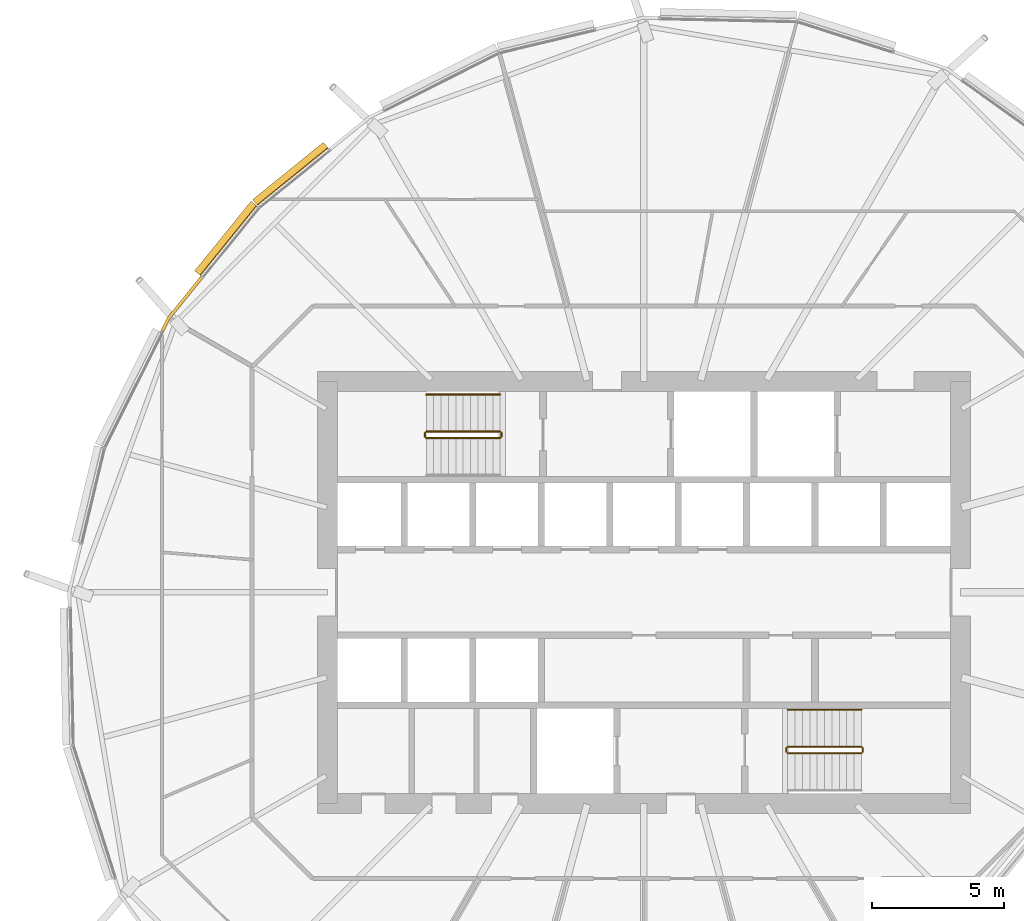
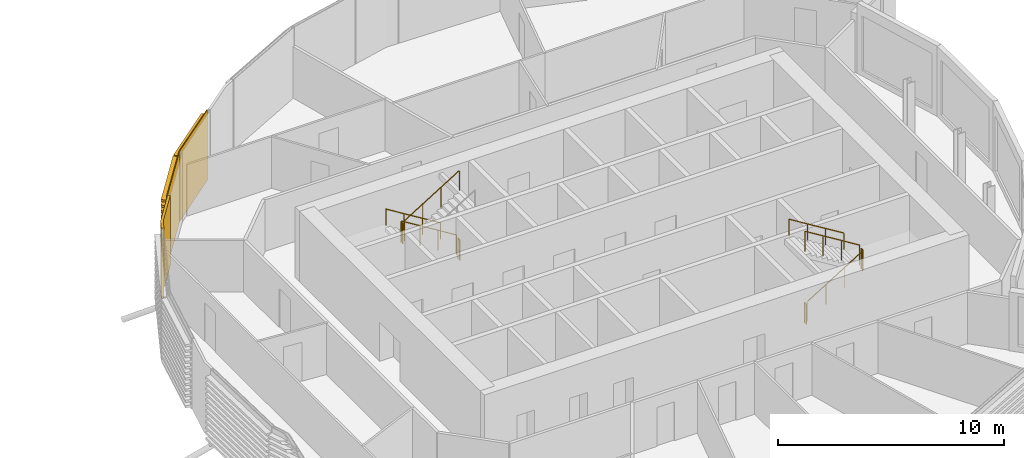
# One storey, part 37 of 38: 10 railings, 3 coverings.
"""IFC4 building model written with IfcOpenShell, lengths in metres."""

from ifc_helpers import new_model, si_unit, direction, frame, origin, origin_2d, place, context, subcontext, project, spatial, polyline, circle, outline, extrude, material, layer, layer_set, material_profile, profile_set, type_object, element, save


model = new_model("IFC4")

# Units and contexts
model_context = context("Model", 3, precision=1e-05, world=origin(), true_north=direction((0.0, 1.0)))
body_context = subcontext(model_context, "Body", "Model", "MODEL_VIEW")
ifc_project = project(units=[si_unit("LENGTHUNIT", "METRE"), si_unit("AREAUNIT", "SQUARE_METRE"), si_unit("VOLUMEUNIT", "CUBIC_METRE"), si_unit("PLANEANGLEUNIT", "RADIAN"), si_unit("MASSUNIT", "GRAM", prefix="KILO")], contexts=[model_context])

# Site, building, storey
site_placement = place(None, origin())
site = spatial("IfcSite", under=ifc_project, at=site_placement, CompositionType="ELEMENT")
building_placement = place(site_placement, origin())
building = spatial("IfcBuilding", under=site, at=building_placement, Name="Rimbun Link Towers", CompositionType="ELEMENT")
storey_placement = place(building_placement, frame((0.0, 0.0, 119.60009765625)))
storey = spatial("IfcBuildingStorey", under=building, at=storey_placement, Name="L29", CompositionType="ELEMENT", Elevation=119.60009765625)

# Covering
ifc_material_1 = material(Name="Terracotta", Category="masonry")
ifc_layer = layer(ifc_material_1, 0.1201171875)
ifc_layer_set = layer_set([ifc_layer], Name="LINK PIER terracotta cladding 120")
covering_type_1 = type_object("IfcCoveringType", Name="LINK PIER terracotta cladding 120", PredefinedType="CLADDING", material=ifc_layer_set)
covering_1_placement = place(storey_placement, origin())
element("IfcCovering", 1, at=covering_1_placement, inside=storey, type_object=covering_type_1, Name="LINK PIER cladding", PredefinedType="CLADDING", context=body_context, shape_type="SweptSolid", body=[
    extrude(outline(polyline([(13.532470703125, 9.86083984375), (13.788330078125, 10.3701171875), (15.02783203125, 11.9013671875), (14.9345703125, 11.97705078125), (13.686767578125, 10.435546875), (13.42529296875, 9.914794921875), (13.532470703125, 9.86083984375)])), origin(), (0.0, 0.0, 1.0), 3.7998046875),
])

# Railings
ifc_material_2 = material(Name="Stainless steel grade 316", Category="steel")
railing_type_1 = type_object("IfcRailingType", Name="Stair guard", PredefinedType="GUARDRAIL", material=ifc_material_2)
railing_1_placement = place(storey_placement, frame((26.300048828125, 6.10009765625, 0.172607421875)))
element("IfcRailing", 2, at=railing_1_placement, inside=storey, type_object=railing_type_1, Name="L29 ST3 stair guard 1", PredefinedType="GUARDRAIL", context=body_context, shape_type="SweptSolid", body=[
    extrude(circle(Radius=0.02392578125, at=origin_2d()), frame((0.0, 0.0, 1.076171875), z_axis=(-0.851089632645, 0.0, 0.525020415988), x_axis=(0.0, -1.0, 0.0)), (0.0, 0.0, 1.0), 3.2900390625),
    extrude(circle(Radius=0.02099609375, at=origin_2d()), origin(), (0.0, 0.0, 1.0), 1.052001953125),
    extrude(circle(Radius=0.02099609375, at=origin_2d()), frame((-0.933349609375, 0.0, 0.57568359375)), (0.0, 0.0, 1.0), 1.052001953125),
    extrude(circle(Radius=0.02099609375, at=origin_2d()), frame((-1.86669921875, 0.0, 1.151611328125)), (0.0, 0.0, 1.0), 1.052001953125),
    extrude(circle(Radius=0.02099609375, at=origin_2d()), frame((-2.800048828125, 0.0, 1.727294921875)), (0.0, 0.0, 1.0), 1.052001953125),
])
railing_2_placement = place(storey_placement, frame((23.449951171875, 6.050048828125, 1.89990234375)))
element("IfcRailing", 3, at=railing_2_placement, inside=storey, type_object=railing_type_1, Name="L29 ST3 stair guard 2", PredefinedType="GUARDRAIL", context=body_context, shape_type="SweptSolid", body=[
    extrude(circle(Radius=0.02392578125, at=origin_2d()), frame((0.0, 0.0, 1.076171875), z_axis=(0.0, -1.0, 0.0), x_axis=(1.0, 0.0, 0.0)), (0.0, 0.0, 1.0), 0.150146484375),
    extrude(circle(Radius=0.02099609375, at=origin_2d()), origin(), (0.0, 0.0, 1.0), 1.052001953125),
    extrude(circle(Radius=0.02099609375, at=origin_2d()), frame((0.0, -0.150146484375, 0.0)), (0.0, 0.0, 1.0), 1.052001953125),
])
railing_3_placement = place(storey_placement, frame((23.5, 5.85009765625, 2.072509765625)))
element("IfcRailing", 4, at=railing_3_placement, inside=storey, type_object=railing_type_1, Name="L29 ST3 stair guard 3", PredefinedType="GUARDRAIL", context=body_context, shape_type="SweptSolid", body=[
    extrude(circle(Radius=0.02392578125, at=origin_2d()), frame((0.0, 0.0, 1.076171875), z_axis=(0.851089632645, 0.0, 0.525020415988), x_axis=(0.0, 1.0, 0.0)), (0.0, 0.0, 1.0), 3.2900390625),
    extrude(circle(Radius=0.02099609375, at=origin_2d()), origin(), (0.0, 0.0, 1.0), 1.052001953125),
    extrude(circle(Radius=0.02099609375, at=origin_2d()), frame((0.933349609375, 0.0, 0.57568359375)), (0.0, 0.0, 1.0), 1.052001953125),
    extrude(circle(Radius=0.02099609375, at=origin_2d()), frame((1.86669921875, 0.0, 1.151611328125)), (0.0, 0.0, 1.0), 1.052001953125),
    extrude(circle(Radius=0.02099609375, at=origin_2d()), frame((2.800048828125, 0.0, 1.727294921875)), (0.0, 0.0, 1.0), 1.052001953125),
])
railing_4_placement = place(storey_placement, frame((26.35009765625, 6.050048828125, 0.0)))
element("IfcRailing", 5, at=railing_4_placement, inside=storey, type_object=railing_type_1, Name="L29 ST3 stair guard 4", PredefinedType="GUARDRAIL", context=body_context, shape_type="SweptSolid", body=[
    extrude(circle(Radius=0.02392578125, at=origin_2d()), frame((0.0, 0.0, 1.076171875), z_axis=(0.0, -1.0, 0.0), x_axis=(1.0, 0.0, 0.0)), (0.0, 0.0, 1.0), 0.150146484375),
    extrude(circle(Radius=0.02099609375, at=origin_2d()), origin(), (0.0, 0.0, 1.0), 1.052001953125),
    extrude(circle(Radius=0.02099609375, at=origin_2d()), frame((0.0, -0.150146484375, 0.0)), (0.0, 0.0, 1.0), 1.052001953125),
])
railing_5_placement = place(storey_placement, frame((37.199951171875, -6.10009765625, 0.172607421875)))
element("IfcRailing", 6, at=railing_5_placement, inside=storey, type_object=railing_type_1, Name="L29 ST4 stair guard 1", PredefinedType="GUARDRAIL", context=body_context, shape_type="SweptSolid", body=[
    extrude(circle(Radius=0.02392578125, at=origin_2d()), frame((0.0, 0.0, 1.076171875), z_axis=(0.851089632645, 0.0, 0.525020415988), x_axis=(0.0, 1.0, 0.0)), (0.0, 0.0, 1.0), 3.2900390625),
    extrude(circle(Radius=0.02099609375, at=origin_2d()), origin(), (0.0, 0.0, 1.0), 1.052001953125),
    extrude(circle(Radius=0.02099609375, at=origin_2d()), frame((0.933349609375, 0.0, 0.57568359375)), (0.0, 0.0, 1.0), 1.052001953125),
    extrude(circle(Radius=0.02099609375, at=origin_2d()), frame((1.86669921875, 0.0, 1.151611328125)), (0.0, 0.0, 1.0), 1.052001953125),
    extrude(circle(Radius=0.02099609375, at=origin_2d()), frame((2.800048828125, 0.0, 1.727294921875)), (0.0, 0.0, 1.0), 1.052001953125),
])
railing_6_placement = place(storey_placement, frame((40.050048828125, -6.050048828125, 1.89990234375)))
element("IfcRailing", 7, at=railing_6_placement, inside=storey, type_object=railing_type_1, Name="L29 ST4 stair guard 2", PredefinedType="GUARDRAIL", context=body_context, shape_type="SweptSolid", body=[
    extrude(circle(Radius=0.02392578125, at=origin_2d()), frame((0.0, 0.0, 1.076171875), z_axis=(0.0, 1.0, 0.0), x_axis=(-1.0, 0.0, 0.0)), (0.0, 0.0, 1.0), 0.150146484375),
    extrude(circle(Radius=0.02099609375, at=origin_2d()), origin(), (0.0, 0.0, 1.0), 1.052001953125),
    extrude(circle(Radius=0.02099609375, at=origin_2d()), frame((0.0, 0.150146484375, 0.0)), (0.0, 0.0, 1.0), 1.052001953125),
])
railing_7_placement = place(storey_placement, frame((40.0, -5.85009765625, 2.072509765625)))
element("IfcRailing", 8, at=railing_7_placement, inside=storey, type_object=railing_type_1, Name="L29 ST4 stair guard 3", PredefinedType="GUARDRAIL", context=body_context, shape_type="SweptSolid", body=[
    extrude(circle(Radius=0.02392578125, at=origin_2d()), frame((0.0, 0.0, 1.076171875), z_axis=(-0.851089632645, 0.0, 0.525020415988), x_axis=(0.0, -1.0, 0.0)), (0.0, 0.0, 1.0), 3.2900390625),
    extrude(circle(Radius=0.02099609375, at=origin_2d()), origin(), (0.0, 0.0, 1.0), 1.052001953125),
    extrude(circle(Radius=0.02099609375, at=origin_2d()), frame((-0.933349609375, 0.0, 0.57568359375)), (0.0, 0.0, 1.0), 1.052001953125),
    extrude(circle(Radius=0.02099609375, at=origin_2d()), frame((-1.86669921875, 0.0, 1.151611328125)), (0.0, 0.0, 1.0), 1.052001953125),
    extrude(circle(Radius=0.02099609375, at=origin_2d()), frame((-2.800048828125, 0.0, 1.727294921875)), (0.0, 0.0, 1.0), 1.052001953125),
])
railing_8_placement = place(storey_placement, frame((37.14990234375, -6.050048828125, 0.0)))
element("IfcRailing", 9, at=railing_8_placement, inside=storey, type_object=railing_type_1, Name="L29 ST4 stair guard 4", PredefinedType="GUARDRAIL", context=body_context, shape_type="SweptSolid", body=[
    extrude(circle(Radius=0.02392578125, at=origin_2d()), frame((0.0, 0.0, 1.076171875), z_axis=(0.0, 1.0, 0.0), x_axis=(-1.0, 0.0, 0.0)), (0.0, 0.0, 1.0), 0.150146484375),
    extrude(circle(Radius=0.02099609375, at=origin_2d()), origin(), (0.0, 0.0, 1.0), 1.052001953125),
    extrude(circle(Radius=0.02099609375, at=origin_2d()), frame((0.0, 0.150146484375, 0.0)), (0.0, 0.0, 1.0), 1.052001953125),
])
ifc_material_3 = material(Name="Stainless steel grade 316", Category="steel")
railing_type_2 = type_object("IfcRailingType", Name="Stair handrail", PredefinedType="HANDRAIL", material=ifc_material_3)
for number, where, name in (
    (10, (26.300048828125, 7.5, 0.172607421875), "L29 ST3 stair handrail 1"),
    (11, (40.0, -4.449951171875, 2.072509765625), "L29 ST4 stair handrail 2"),
):
    element("IfcRailing", number, at=place(storey_placement, frame(where)), inside=storey, type_object=railing_type_2, Name=name, PredefinedType="HANDRAIL", context=body_context, shape_type="SweptSolid", body=[
        extrude(circle(Radius=0.02392578125, at=origin_2d()), frame((0.0, 0.0, 0.8759765625), z_axis=(-0.851089632645, 0.0, 0.525020415988), x_axis=(0.0, -1.0, 0.0)), (0.0, 0.0, 1.0), 3.2900390625),
        extrude(circle(Radius=0.02099609375, at=origin_2d()), origin(), (0.0, 0.0, 1.0), 0.851806640625),
        extrude(circle(Radius=0.02099609375, at=origin_2d()), frame((-0.933349609375, 0.0, 0.57568359375)), (0.0, 0.0, 1.0), 0.851806640625),
        extrude(circle(Radius=0.02099609375, at=origin_2d()), frame((-1.86669921875, 0.0, 1.151611328125)), (0.0, 0.0, 1.0), 0.851806640625),
        extrude(circle(Radius=0.02099609375, at=origin_2d()), frame((-2.800048828125, 0.0, 1.727294921875)), (0.0, 0.0, 1.0), 0.851806640625),
    ])

# Coverings
ifc_material_4 = material(Name="Terracotta", Category="masonry")
ifc_material_profile = material_profile(ifc_material_4, outline(polyline([(0.123046875, 0.0), (0.1630859375, 0.0), (0.1630859375, 0.10009765625), (0.423095703125, 0.10009765625), (0.423095703125, 0.219970703125), (0.1630859375, 0.219970703125), (0.1630859375, 0.39990234375), (0.423095703125, 0.39990234375), (0.423095703125, 0.52001953125), (0.1630859375, 0.52001953125), (0.1630859375, 0.699951171875), (0.423095703125, 0.699951171875), (0.423095703125, 0.820068359375), (0.1630859375, 0.820068359375), (0.1630859375, 1.0), (0.423095703125, 1.0), (0.423095703125, 1.1201171875), (0.1630859375, 1.1201171875), (0.1630859375, 1.300048828125), (0.423095703125, 1.300048828125), (0.423095703125, 1.419921875), (0.1630859375, 1.419921875), (0.1630859375, 1.60009765625), (0.423095703125, 1.60009765625), (0.423095703125, 1.719970703125), (0.1630859375, 1.719970703125), (0.1630859375, 1.89990234375), (0.423095703125, 1.89990234375), (0.423095703125, 2.02001953125), (0.1630859375, 2.02001953125), (0.1630859375, 2.199951171875), (0.423095703125, 2.199951171875), (0.423095703125, 2.320068359375), (0.1630859375, 2.320068359375), (0.1630859375, 2.5), (0.423095703125, 2.5), (0.423095703125, 2.6201171875), (0.1630859375, 2.6201171875), (0.1630859375, 2.800048828125), (0.423095703125, 2.800048828125), (0.423095703125, 2.919921875), (0.1630859375, 2.919921875), (0.1630859375, 3.10009765625), (0.423095703125, 3.10009765625), (0.423095703125, 3.219970703125), (0.1630859375, 3.219970703125), (0.1630859375, 3.39990234375), (0.423095703125, 3.39990234375), (0.423095703125, 3.52001953125), (0.1630859375, 3.52001953125), (0.1630859375, 3.800048828125), (0.123046875, 3.800048828125), (0.123046875, 0.0)])), Name="BAGUETTE 120X300")
ifc_profile_set = profile_set([ifc_material_profile], Name="Terracotta")
covering_type_2 = type_object("IfcCoveringType", Name="TERRACOTTA BAGUETTE 120X300 H3800", PredefinedType="CLADDING", material=ifc_profile_set)
covering_2_placement = place(storey_placement, frame((17.184326171875, 14.565673828125, 0.0), z_axis=(0.777256414258, 0.629183968721, 0.0), x_axis=(-0.629183968721, 0.777256414258, 0.0)))
element("IfcCovering", 12, at=covering_2_placement, inside=storey, type_object=covering_type_2, Name="TERRACOTTA BAGUETTE", PredefinedType="CLADDING", context=body_context, shape_type="SweptSolid", body=[
    extrude(outline(polyline([(0.123046875, 0.0), (0.1630859375, 0.0), (0.1630859375, 0.10009765625), (0.423095703125, 0.10009765625), (0.423095703125, 0.219970703125), (0.1630859375, 0.219970703125), (0.1630859375, 0.39990234375), (0.423095703125, 0.39990234375), (0.423095703125, 0.52001953125), (0.1630859375, 0.52001953125), (0.1630859375, 0.699951171875), (0.423095703125, 0.699951171875), (0.423095703125, 0.820068359375), (0.1630859375, 0.820068359375), (0.1630859375, 1.0), (0.423095703125, 1.0), (0.423095703125, 1.1201171875), (0.1630859375, 1.1201171875), (0.1630859375, 1.300048828125), (0.423095703125, 1.300048828125), (0.423095703125, 1.419921875), (0.1630859375, 1.419921875), (0.1630859375, 1.60009765625), (0.423095703125, 1.60009765625), (0.423095703125, 1.719970703125), (0.1630859375, 1.719970703125), (0.1630859375, 1.89990234375), (0.423095703125, 1.89990234375), (0.423095703125, 2.02001953125), (0.1630859375, 2.02001953125), (0.1630859375, 2.199951171875), (0.423095703125, 2.199951171875), (0.423095703125, 2.320068359375), (0.1630859375, 2.320068359375), (0.1630859375, 2.5), (0.423095703125, 2.5), (0.423095703125, 2.6201171875), (0.1630859375, 2.6201171875), (0.1630859375, 2.800048828125), (0.423095703125, 2.800048828125), (0.423095703125, 2.919921875), (0.1630859375, 2.919921875), (0.1630859375, 3.10009765625), (0.423095703125, 3.10009765625), (0.423095703125, 3.219970703125), (0.1630859375, 3.219970703125), (0.1630859375, 3.39990234375), (0.423095703125, 3.39990234375), (0.423095703125, 3.52001953125), (0.1630859375, 3.52001953125), (0.1630859375, 3.800048828125), (0.123046875, 3.800048828125), (0.123046875, 0.0)])), origin(), (0.0, 0.0, 1.0), 3.447509765625),
])
covering_3_placement = place(storey_placement, frame((15.046630859375, 11.9248046875, 0.0), z_axis=(0.629171356107, 0.777266623916, 0.0), x_axis=(-0.777266623916, 0.629171356107, 0.0)))
element("IfcCovering", 13, at=covering_3_placement, inside=storey, type_object=covering_type_2, Name="TERRACOTTA BAGUETTE", PredefinedType="CLADDING", context=body_context, shape_type="SweptSolid", body=[
    extrude(outline(polyline([(0.123046875, 0.0), (0.1630859375, 0.0), (0.1630859375, 0.10009765625), (0.423095703125, 0.10009765625), (0.423095703125, 0.219970703125), (0.1630859375, 0.219970703125), (0.1630859375, 0.39990234375), (0.423095703125, 0.39990234375), (0.423095703125, 0.52001953125), (0.1630859375, 0.52001953125), (0.1630859375, 0.699951171875), (0.423095703125, 0.699951171875), (0.423095703125, 0.820068359375), (0.1630859375, 0.820068359375), (0.1630859375, 1.0), (0.423095703125, 1.0), (0.423095703125, 1.1201171875), (0.1630859375, 1.1201171875), (0.1630859375, 1.300048828125), (0.423095703125, 1.300048828125), (0.423095703125, 1.419921875), (0.1630859375, 1.419921875), (0.1630859375, 1.60009765625), (0.423095703125, 1.60009765625), (0.423095703125, 1.719970703125), (0.1630859375, 1.719970703125), (0.1630859375, 1.89990234375), (0.423095703125, 1.89990234375), (0.423095703125, 2.02001953125), (0.1630859375, 2.02001953125), (0.1630859375, 2.199951171875), (0.423095703125, 2.199951171875), (0.423095703125, 2.320068359375), (0.1630859375, 2.320068359375), (0.1630859375, 2.5), (0.423095703125, 2.5), (0.423095703125, 2.6201171875), (0.1630859375, 2.6201171875), (0.1630859375, 2.800048828125), (0.423095703125, 2.800048828125), (0.423095703125, 2.919921875), (0.1630859375, 2.919921875), (0.1630859375, 3.10009765625), (0.423095703125, 3.10009765625), (0.423095703125, 3.219970703125), (0.1630859375, 3.219970703125), (0.1630859375, 3.39990234375), (0.423095703125, 3.39990234375), (0.423095703125, 3.52001953125), (0.1630859375, 3.52001953125), (0.1630859375, 3.800048828125), (0.123046875, 3.800048828125), (0.123046875, 0.0)])), origin(), (0.0, 0.0, 1.0), 3.397705078125),
])

save(model, "model.ifc")
